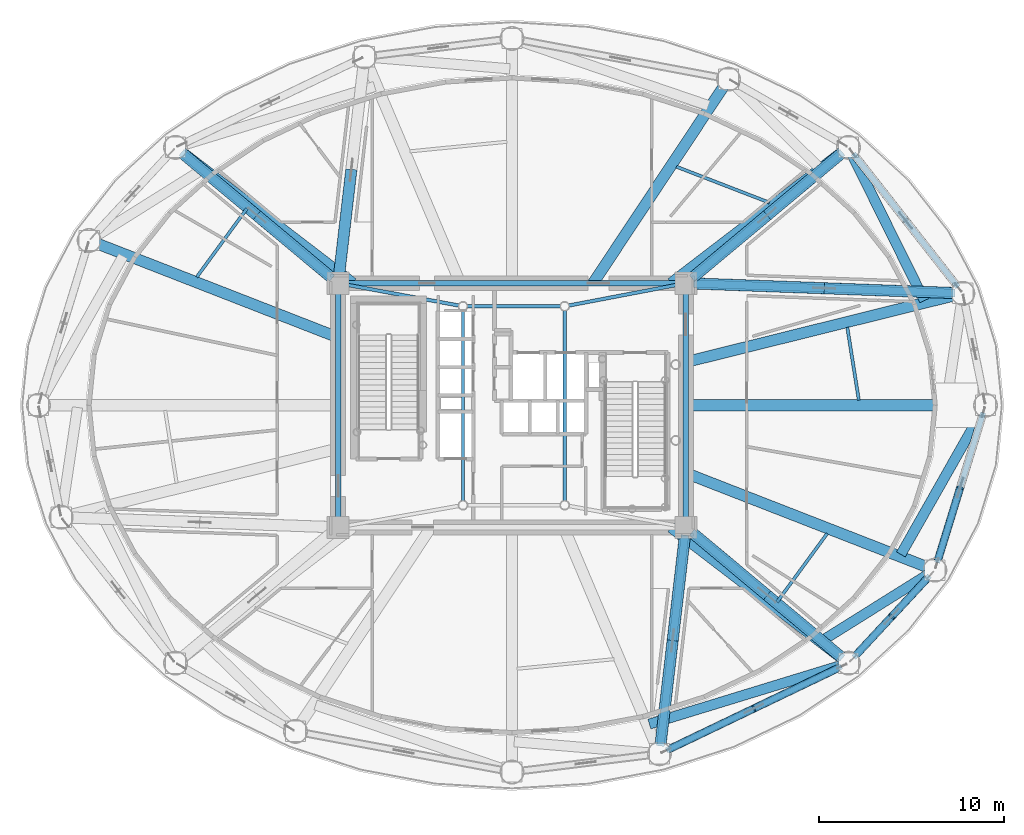
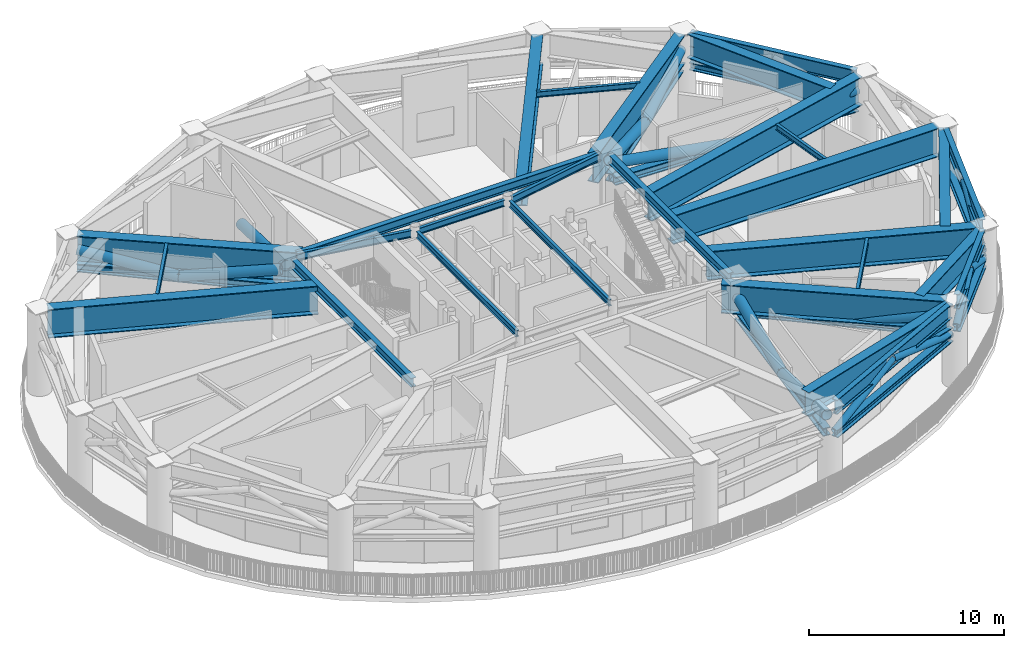
# One storey, part 4 of 20: 37 beams, 16 members.
"""IFC4 building model written with IfcOpenShell, lengths in metres."""

from ifc_helpers import new_model, si_unit, direction, frame, origin, origin_2d, place, context, subcontext, project, spatial, hollow_circle, i_section, extrude, material, material_profile, profile_set, type_object, element, save


model = new_model("IFC4")

# Units and contexts
model_context = context("Model", 3, precision=1e-05, world=origin(), true_north=direction((0.0, 1.0)))
body_context = subcontext(model_context, "Body", "Model", "MODEL_VIEW")
ifc_project = project(units=[si_unit("LENGTHUNIT", "METRE"), si_unit("AREAUNIT", "SQUARE_METRE"), si_unit("VOLUMEUNIT", "CUBIC_METRE"), si_unit("PLANEANGLEUNIT", "RADIAN"), si_unit("MASSUNIT", "GRAM", prefix="KILO")], contexts=[model_context])

# Site, building, storey
site_placement = place(None, origin())
site = spatial("IfcSite", under=ifc_project, at=site_placement, CompositionType="ELEMENT")
building_placement = place(site_placement, origin())
building = spatial("IfcBuilding", under=site, at=building_placement, Name="Linh Dai School and Residence Tower", CompositionType="ELEMENT")
storey_placement = place(building_placement, frame((0.0, 0.0, 204.89990234375)))
storey = spatial("IfcBuildingStorey", under=building, at=storey_placement, Name="L50", CompositionType="ELEMENT", Elevation=204.89990234375)

# Beams
ifc_material = material(Name="Structural Steel S355JR", Category="steel")
ifc_material_profile_1 = material_profile(ifc_material, i_section(OverallWidth=0.41796875, OverallDepth=0.506103515625, WebThickness=0.038818359375, FlangeThickness=0.05810546875, FilletRadius=0.014892578125, at=origin_2d()), Name="HD 400x551")
ifc_profile_set_1 = profile_set([ifc_material_profile_1], Name="Structural Steel S355JR")
beam_type_1 = type_object("IfcBeamType", Name="BM-BC1", PredefinedType="BEAM", material=ifc_profile_set_1)
beam_1_placement = place(storey_placement, frame((45.81982421875, 33.584716796875, 3.10009765625), z_axis=(0.999334691153, -0.036471565062, 0.0), x_axis=(0.036471565062, 0.999334691153, 0.0)))
element("IfcBeam", 1, at=beam_1_placement, inside=storey, type_object=beam_type_1, Name="L50 Outrigger Truss OT2 Bottom Chord 01", PredefinedType="BEAM", context=body_context, shape_type="SweptSolid", body=[
    extrude(i_section(OverallWidth=0.41796875, OverallDepth=0.506103515625, WebThickness=0.038818359375, FlangeThickness=0.05810546875, FilletRadius=0.014892578125, at=origin_2d()), origin(), (0.0, 0.0, 1.0), 14.14453125),
])
for number, where, z_axis, x_axis, name in (
    (2, (45.722412109375, 33.869140625, 3.10009765625), (0.767585567981, 0.640946484371, 0.0), (-0.640946484371, 0.767585567981, 0.0), "L50 Outrigger Truss OT2 Bottom Chord 02"),
    (3, (26.277587890625, 33.869140625, 3.10009765625), (-0.767585567981, 0.640946484371, 0.0), (-0.640946484371, -0.767585567981, 0.0), "L50 Outrigger Truss OT2 Bottom Chord 04"),
):
    element("IfcBeam", number, at=place(storey_placement, frame(where, z_axis=z_axis, x_axis=x_axis)), inside=storey, type_object=beam_type_1, Name=name, PredefinedType="BEAM", context=body_context, shape_type="SweptSolid", body=[
        extrude(i_section(OverallWidth=0.41796875, OverallDepth=0.506103515625, WebThickness=0.038818359375, FlangeThickness=0.05810546875, FilletRadius=0.014892578125, at=origin_2d()), origin(), (0.0, 0.0, 1.0), 10.61474609375),
    ])
beam_2_placement = place(storey_placement, frame((45.351318359375, 19.98291015625, 3.10009765625), z_axis=(-0.115752064502, -0.993278138068, 0.0), x_axis=(0.993278138068, -0.115752064502, 0.0)))
element("IfcBeam", 4, at=beam_2_placement, inside=storey, type_object=beam_type_1, Name="L50 Outrigger Truss OT2 Bottom Chord 07", PredefinedType="BEAM", context=body_context, shape_type="SweptSolid", body=[
    extrude(i_section(OverallWidth=0.41796875, OverallDepth=0.506103515625, WebThickness=0.038818359375, FlangeThickness=0.05810546875, FilletRadius=0.014892578125, at=origin_2d()), origin(), (0.0, 0.0, 1.0), 11.484375),
])
beam_3_placement = place(storey_placement, frame((45.722412109375, 20.130859375, 3.10009765625), z_axis=(0.767585567981, -0.640946484371, 0.0), x_axis=(0.640946484371, 0.767585567981, 0.0)))
element("IfcBeam", 5, at=beam_3_placement, inside=storey, type_object=beam_type_1, Name="L50 Outrigger Truss OT2 Bottom Chord 08", PredefinedType="BEAM", context=body_context, shape_type="SweptSolid", body=[
    extrude(i_section(OverallWidth=0.41796875, OverallDepth=0.506103515625, WebThickness=0.038818359375, FlangeThickness=0.05810546875, FilletRadius=0.014892578125, at=origin_2d()), origin(), (0.0, 0.0, 1.0), 10.61474609375),
])
ifc_material_profile_2 = material_profile(ifc_material, i_section(OverallWidth=0.408935546875, OverallDepth=0.47509765625, WebThickness=0.02978515625, FlangeThickness=0.048095703125, FilletRadius=0.014892578125, at=origin_2d()), Name="HD 400x421")
ifc_profile_set_2 = profile_set([ifc_material_profile_2], Name="Structural Steel S355JR")
beam_type_2 = type_object("IfcBeamType", Name="BM-BC2", PredefinedType="BEAM", material=ifc_profile_set_2)
beam_4_placement = place(storey_placement, frame((60.115478515625, 33.38427734375, 3.050048828125), z_axis=(-0.616852281883, 0.787078942887, 0.0), x_axis=(-0.787078942887, -0.616852281883, 0.0)))
element("IfcBeam", 6, at=beam_4_placement, inside=storey, type_object=beam_type_2, Name="L50 Ring Belt Truss BT3 Bottom Chord 02", PredefinedType="BEAM", context=body_context, shape_type="SweptSolid", body=[
    extrude(i_section(OverallWidth=0.408935546875, OverallDepth=0.47509765625, WebThickness=0.02978515625, FlangeThickness=0.048095703125, FilletRadius=0.014892578125, at=origin_2d()), origin(), (0.0, 0.0, 1.0), 9.181884765625),
])
beam_5_placement = place(storey_placement, frame((44.35205078125, 8.340087890625, 3.050048828125), z_axis=(0.901708141823, 0.432345263614, 0.0), x_axis=(-0.432345263614, 0.901708141823, 0.0)))
element("IfcBeam", 7, at=beam_5_placement, inside=storey, type_object=beam_type_2, Name="L50 Ring Belt Truss BT3 Bottom Chord 14", PredefinedType="BEAM", context=body_context, shape_type="SweptSolid", body=[
    extrude(i_section(OverallWidth=0.408935546875, OverallDepth=0.47509765625, WebThickness=0.02978515625, FlangeThickness=0.048095703125, FilletRadius=0.014892578125, at=origin_2d()), origin(), (0.0, 0.0, 1.0), 10.4931640625),
])
beam_6_placement = place(storey_placement, frame((54.478271484375, 13.3662109375, 3.050048828125), z_axis=(0.680378035197, 0.732861330145, 0.0), x_axis=(-0.732861330145, 0.680378035197, 0.0)))
element("IfcBeam", 8, at=beam_6_placement, inside=storey, type_object=beam_type_2, Name="L50 Ring Belt Truss BT3 Bottom Chord 15", PredefinedType="BEAM", context=body_context, shape_type="SweptSolid", body=[
    extrude(i_section(OverallWidth=0.408935546875, OverallDepth=0.47509765625, WebThickness=0.02978515625, FlangeThickness=0.048095703125, FilletRadius=0.014892578125, at=origin_2d()), origin(), (0.0, 0.0, 1.0), 6.024169921875),
])
beam_7_placement = place(storey_placement, frame((58.98583984375, 18.490234375, 3.050048828125), z_axis=(0.29363681283, 0.955917058196, 0.0), x_axis=(-0.955917058196, 0.29363681283, 0.0)))
element("IfcBeam", 9, at=beam_7_placement, inside=storey, type_object=beam_type_2, Name="L50 Ring Belt Truss BT3 Bottom Chord 16", PredefinedType="BEAM", context=body_context, shape_type="SweptSolid", body=[
    extrude(i_section(OverallWidth=0.408935546875, OverallDepth=0.47509765625, WebThickness=0.02978515625, FlangeThickness=0.048095703125, FilletRadius=0.014892578125, at=origin_2d()), origin(), (0.0, 0.0, 1.0), 8.482421875),
])
ifc_material_profile_3 = material_profile(ifc_material, i_section(OverallWidth=0.300048828125, OverallDepth=0.550048828125, WebThickness=0.014892578125, FlangeThickness=0.029052734375, FilletRadius=0.027099609375, at=origin_2d()), Name="HEB 550")
ifc_profile_set_3 = profile_set([ifc_material_profile_3], Name="Structural Steel S355JR")
beam_type_3 = type_object("IfcBeamType", Name="BM-RG55", PredefinedType="BEAM", material=ifc_profile_set_3)
beam_8_placement = place(storey_placement, frame((45.39990234375, 20.820068359375, 4.875), z_axis=(0.0, 1.0, 0.0), x_axis=(-1.0, 0.0, 0.0)))
element("IfcBeam", 10, at=beam_8_placement, inside=storey, type_object=beam_type_3, Name="L50 Core Perimeter Coupling Girder 2", PredefinedType="BEAM", context=body_context, shape_type="SweptSolid", body=[
    extrude(i_section(OverallWidth=0.300048828125, OverallDepth=0.550048828125, WebThickness=0.014892578125, FlangeThickness=0.029052734375, FilletRadius=0.027099609375, at=origin_2d()), origin(), (0.0, 0.0, 1.0), 12.35986328125),
])
beam_9_placement = place(storey_placement, frame((44.97998046875, 33.60009765625, 4.875), z_axis=(-1.0, 0.0, 0.0), x_axis=(0.0, -1.0, 0.0)))
element("IfcBeam", 11, at=beam_9_placement, inside=storey, type_object=beam_type_3, Name="L50 Core Perimeter Coupling Girder 3", PredefinedType="BEAM", context=body_context, shape_type="SweptSolid", body=[
    extrude(i_section(OverallWidth=0.300048828125, OverallDepth=0.550048828125, WebThickness=0.014892578125, FlangeThickness=0.029052734375, FilletRadius=0.027099609375, at=origin_2d()), origin(), (0.0, 0.0, 1.0), 17.9599609375),
])
beam_10_placement = place(storey_placement, frame((26.60009765625, 33.179931640625, 4.875), z_axis=(0.0, -1.0, 0.0), x_axis=(1.0, 0.0, 0.0)))
element("IfcBeam", 12, at=beam_10_placement, inside=storey, type_object=beam_type_3, Name="L50 Core Perimeter Coupling Girder 4", PredefinedType="BEAM", context=body_context, shape_type="SweptSolid", body=[
    extrude(i_section(OverallWidth=0.300048828125, OverallDepth=0.550048828125, WebThickness=0.014892578125, FlangeThickness=0.029052734375, FilletRadius=0.027099609375, at=origin_2d()), origin(), (0.0, 0.0, 1.0), 12.35986328125),
])
ifc_material_profile_4 = material_profile(ifc_material, i_section(OverallWidth=0.300048828125, OverallDepth=0.89990234375, WebThickness=0.0185546875, FlangeThickness=0.034912109375, FilletRadius=0.030029296875, at=origin_2d()), Name="HEB 900")
ifc_profile_set_4 = profile_set([ifc_material_profile_4], Name="Structural Steel S355JR")
beam_type_4 = type_object("IfcBeamType", Name="BM-RG9", PredefinedType="BEAM", material=ifc_profile_set_4)
beam_11_placement = place(storey_placement, frame((60.115478515625, 33.38427734375, 4.7001953125), z_axis=(-0.616852281883, 0.787078942887, 0.0), x_axis=(-0.787078942887, -0.616852281883, 0.0)))
element("IfcBeam", 13, at=beam_11_placement, inside=storey, type_object=beam_type_4, Name="L50 Perimeter Elliptical Ring Beam 02", PredefinedType="BEAM", context=body_context, shape_type="SweptSolid", body=[
    extrude(i_section(OverallWidth=0.300048828125, OverallDepth=0.89990234375, WebThickness=0.0185546875, FlangeThickness=0.034912109375, FilletRadius=0.030029296875, at=origin_2d()), origin(), (0.0, 0.0, 1.0), 9.181884765625),
])
beam_12_placement = place(storey_placement, frame((44.35205078125, 8.340087890625, 4.7001953125), z_axis=(0.901708141823, 0.432345263614, 0.0), x_axis=(-0.432345263614, 0.901708141823, 0.0)))
element("IfcBeam", 14, at=beam_12_placement, inside=storey, type_object=beam_type_4, Name="L50 Perimeter Elliptical Ring Beam 14", PredefinedType="BEAM", context=body_context, shape_type="SweptSolid", body=[
    extrude(i_section(OverallWidth=0.300048828125, OverallDepth=0.89990234375, WebThickness=0.0185546875, FlangeThickness=0.034912109375, FilletRadius=0.030029296875, at=origin_2d()), origin(), (0.0, 0.0, 1.0), 10.4931640625),
])
beam_13_placement = place(storey_placement, frame((54.478271484375, 13.3662109375, 4.7001953125), z_axis=(0.680378035197, 0.732861330145, 0.0), x_axis=(-0.732861330145, 0.680378035197, 0.0)))
element("IfcBeam", 15, at=beam_13_placement, inside=storey, type_object=beam_type_4, Name="L50 Perimeter Elliptical Ring Beam 15", PredefinedType="BEAM", context=body_context, shape_type="SweptSolid", body=[
    extrude(i_section(OverallWidth=0.300048828125, OverallDepth=0.89990234375, WebThickness=0.0185546875, FlangeThickness=0.034912109375, FilletRadius=0.030029296875, at=origin_2d()), origin(), (0.0, 0.0, 1.0), 6.024169921875),
])
beam_14_placement = place(storey_placement, frame((58.98583984375, 18.490234375, 4.7001953125), z_axis=(0.29363681283, 0.955917058196, 0.0), x_axis=(-0.955917058196, 0.29363681283, 0.0)))
element("IfcBeam", 16, at=beam_14_placement, inside=storey, type_object=beam_type_4, Name="L50 Perimeter Elliptical Ring Beam 16", PredefinedType="BEAM", context=body_context, shape_type="SweptSolid", body=[
    extrude(i_section(OverallWidth=0.300048828125, OverallDepth=0.89990234375, WebThickness=0.0185546875, FlangeThickness=0.034912109375, FilletRadius=0.030029296875, at=origin_2d()), origin(), (0.0, 0.0, 1.0), 8.482421875),
])
ifc_material_profile_5 = material_profile(ifc_material, i_section(OverallWidth=0.169921875, OverallDepth=0.360107421875, WebThickness=0.008056640625, FlangeThickness=0.0126953125, FilletRadius=0.01806640625, at=origin_2d()), Name="IPE 360")
ifc_profile_set_5 = profile_set([ifc_material_profile_5], Name="Structural Steel S355JR")
beam_type_5 = type_object("IfcBeamType", Name="BM-SB36", PredefinedType="BEAM", material=ifc_profile_set_5)
beam_15_placement = place(storey_placement, frame((54.752197265625, 27.276611328125, 4.97021484375), z_axis=(-0.15631155546, 0.987707799721, 0.0), x_axis=(-0.987707799721, -0.15631155546, 0.0)))
element("IfcBeam", 17, at=beam_15_placement, inside=storey, type_object=beam_type_5, Name="L50 Secondary Circumferential Floor Beam 01", PredefinedType="BEAM", context=body_context, shape_type="SweptSolid", body=[
    extrude(i_section(OverallWidth=0.169921875, OverallDepth=0.360107421875, WebThickness=0.008056640625, FlangeThickness=0.0126953125, FilletRadius=0.01806640625, at=origin_2d()), origin(), (0.0, 0.0, 1.0), 3.987548828125),
])
beam_16_placement = place(storey_placement, frame((49.90771484375, 37.958984375, 4.97021484375), z_axis=(-0.93281928987, 0.3603445191, 0.0), x_axis=(-0.3603445191, -0.93281928987, 0.0)))
element("IfcBeam", 18, at=beam_16_placement, inside=storey, type_object=beam_type_5, Name="L50 Secondary Circumferential Floor Beam 02", PredefinedType="BEAM", context=body_context, shape_type="SweptSolid", body=[
    extrude(i_section(OverallWidth=0.169921875, OverallDepth=0.360107421875, WebThickness=0.008056640625, FlangeThickness=0.0126953125, FilletRadius=0.01806640625, at=origin_2d()), origin(), (0.0, 0.0, 1.0), 5.378173828125),
])
for number, where, z_axis, x_axis, name in (
    (19, (21.665771484375, 37.63232421875, 4.97021484375), (-0.59081870734, -0.806804347446, 0.0), (0.806804347446, -0.59081870734, 0.0), "L50 Secondary Circumferential Floor Beam 04"),
    (20, (50.334228515625, 16.36767578125, 4.97021484375), (0.59081870734, 0.806804347446, 0.0), (-0.806804347446, 0.59081870734, 0.0), "L50 Secondary Circumferential Floor Beam 08"),
):
    element("IfcBeam", number, at=place(storey_placement, frame(where, z_axis=z_axis, x_axis=x_axis)), inside=storey, type_object=beam_type_5, Name=name, PredefinedType="BEAM", context=body_context, shape_type="SweptSolid", body=[
        extrude(i_section(OverallWidth=0.169921875, OverallDepth=0.360107421875, WebThickness=0.008056640625, FlangeThickness=0.0126953125, FilletRadius=0.01806640625, at=origin_2d()), origin(), (0.0, 0.0, 1.0), 4.584716796875),
    ])
ifc_material_profile_6 = material_profile(ifc_material, i_section(OverallWidth=0.179931640625, OverallDepth=0.39990234375, WebThickness=0.008544921875, FlangeThickness=0.013427734375, FilletRadius=0.02099609375, at=origin_2d()), Name="IPE 400")
ifc_profile_set_6 = profile_set([ifc_material_profile_6], Name="Structural Steel S355JR")
beam_type_6 = type_object("IfcBeamType", Name="BM-SB40", PredefinedType="BEAM", material=ifc_profile_set_6)
beam_17_placement = place(storey_placement, frame((38.85009765625, 21.823974609375, 4.9501953125), z_axis=(0.0, 1.0, 0.0), x_axis=(-1.0, 0.0, 0.0)))
element("IfcBeam", 21, at=beam_17_placement, inside=storey, type_object=beam_type_6, Name="L50 Core Mast Pier Tie Beam 2", PredefinedType="BEAM", context=body_context, shape_type="SweptSolid", body=[
    extrude(i_section(OverallWidth=0.179931640625, OverallDepth=0.39990234375, WebThickness=0.008544921875, FlangeThickness=0.013427734375, FilletRadius=0.02099609375, at=origin_2d()), origin(), (0.0, 0.0, 1.0), 10.302001953125),
])
beam_18_placement = place(storey_placement, frame((38.6259765625, 32.35009765625, 4.9501953125), z_axis=(-1.0, 0.0, 0.0), x_axis=(0.0, -1.0, 0.0)))
element("IfcBeam", 22, at=beam_18_placement, inside=storey, type_object=beam_type_6, Name="L50 Core Mast Pier Tie Beam 3", PredefinedType="BEAM", context=body_context, shape_type="SweptSolid", body=[
    extrude(i_section(OverallWidth=0.179931640625, OverallDepth=0.39990234375, WebThickness=0.008544921875, FlangeThickness=0.013427734375, FilletRadius=0.02099609375, at=origin_2d()), origin(), (0.0, 0.0, 1.0), 5.052001953125),
])
beam_19_placement = place(storey_placement, frame((33.35009765625, 32.1259765625, 4.9501953125), z_axis=(0.0, -1.0, 0.0), x_axis=(1.0, 0.0, 0.0)))
element("IfcBeam", 23, at=beam_19_placement, inside=storey, type_object=beam_type_6, Name="L50 Core Mast Pier Tie Beam 4", PredefinedType="BEAM", context=body_context, shape_type="SweptSolid", body=[
    extrude(i_section(OverallWidth=0.179931640625, OverallDepth=0.39990234375, WebThickness=0.008544921875, FlangeThickness=0.013427734375, FilletRadius=0.02099609375, at=origin_2d()), origin(), (0.0, 0.0, 1.0), 10.302001953125),
])
ifc_material_profile_7 = material_profile(ifc_material, i_section(OverallWidth=0.18994140625, OverallDepth=0.449951171875, WebThickness=0.009521484375, FlangeThickness=0.0146484375, FilletRadius=0.02099609375, at=origin_2d()), Name="IPE 450")
ifc_profile_set_7 = profile_set([ifc_material_profile_7], Name="Structural Steel S355JR")
beam_type_7 = type_object("IfcBeamType", Name="BM-SB45", PredefinedType="BEAM", material=ifc_profile_set_7)
beam_20_placement = place(storey_placement, frame((44.987548828125, 33.521240234375, 4.925048828125), z_axis=(-0.982277147686, -0.187434268836, 0.0), x_axis=(0.187434268836, -0.982277147686, 0.0)))
element("IfcBeam", 24, at=beam_20_placement, inside=storey, type_object=beam_type_7, Name="L50 Core Corner-to-Mast Pier Beam 3", PredefinedType="BEAM", context=body_context, shape_type="SweptSolid", body=[
    extrude(i_section(OverallWidth=0.18994140625, OverallDepth=0.449951171875, WebThickness=0.009521484375, FlangeThickness=0.0146484375, FilletRadius=0.02099609375, at=origin_2d()), origin(), (0.0, 0.0, 1.0), 6.024169921875),
])
beam_21_placement = place(storey_placement, frame((27.012939453125, 33.5234375, 4.925048828125), z_axis=(0.983286429055, -0.182065368579, 0.0), x_axis=(0.182065368579, 0.983286429055, 0.0)))
element("IfcBeam", 25, at=beam_21_placement, inside=storey, type_object=beam_type_7, Name="L50 Core Corner-to-Mast Pier Beam 4", PredefinedType="BEAM", context=body_context, shape_type="SweptSolid", body=[
    extrude(i_section(OverallWidth=0.18994140625, OverallDepth=0.449951171875, WebThickness=0.009521484375, FlangeThickness=0.0146484375, FilletRadius=0.02099609375, at=origin_2d()), origin(), (0.0, 0.0, 1.0), 6.220703125),
])
ifc_material_profile_8 = material_profile(ifc_material, i_section(OverallWidth=0.550048828125, OverallDepth=1.5, WebThickness=0.028076171875, FlangeThickness=0.050048828125, at=origin_2d()), Name="PG 1500x550x28x50")
ifc_profile_set_8 = profile_set([ifc_material_profile_8], Name="Structural Steel S355JR")
beam_type_8 = type_object("IfcBeamType", Name="BM-TG15", PredefinedType="BEAM", material=ifc_profile_set_8)
beam_22_placement = place(storey_placement, frame((58.298095703125, 32.65673828125, 4.400146484375), z_axis=(-0.444024337353, 0.896014725235, 0.0), x_axis=(-0.896014725235, -0.444024337353, 0.0)))
element("IfcBeam", 26, at=beam_22_placement, inside=storey, type_object=beam_type_8, Name="L50 Setback Diaphragm Transfer Girder 02", PredefinedType="BEAM", context=body_context, shape_type="SweptSolid", body=[
    extrude(i_section(OverallWidth=0.550048828125, OverallDepth=1.5, WebThickness=0.028076171875, FlangeThickness=0.050048828125, at=origin_2d()), origin(), (0.0, 0.0, 1.0), 8.826416015625),
])
beam_23_placement = place(storey_placement, frame((43.4267578125, 9.76171875, 4.400146484375), z_axis=(0.956177952273, 0.292786139678, 0.0), x_axis=(-0.292786139678, 0.956177952273, 0.0)))
element("IfcBeam", 27, at=beam_23_placement, inside=storey, type_object=beam_type_8, Name="L50 Setback Diaphragm Transfer Girder 14", PredefinedType="BEAM", context=body_context, shape_type="SweptSolid", body=[
    extrude(i_section(OverallWidth=0.550048828125, OverallDepth=1.5, WebThickness=0.028076171875, FlangeThickness=0.050048828125, at=origin_2d()), origin(), (0.0, 0.0, 1.0), 10.83935546875),
])
beam_24_placement = place(storey_placement, frame((52.784912109375, 14.28271484375, 4.400146484375), z_axis=(0.847518491139, 0.530765868512, 0.0), x_axis=(-0.530765868512, 0.847518491139, 0.0)))
element("IfcBeam", 28, at=beam_24_placement, inside=storey, type_object=beam_type_8, Name="L50 Setback Diaphragm Transfer Girder 15", PredefinedType="BEAM", context=body_context, shape_type="SweptSolid", body=[
    extrude(i_section(OverallWidth=0.550048828125, OverallDepth=1.5, WebThickness=0.028076171875, FlangeThickness=0.050048828125, at=origin_2d()), origin(), (0.0, 0.0, 1.0), 6.7509765625),
])
beam_25_placement = place(storey_placement, frame((57.0244140625, 18.935302734375, 4.400146484375), z_axis=(0.493472463671, 0.86976141993, 0.0), x_axis=(-0.86976141993, 0.493472463671, 0.0)))
element("IfcBeam", 29, at=beam_25_placement, inside=storey, type_object=beam_type_8, Name="L50 Setback Diaphragm Transfer Girder 16", PredefinedType="BEAM", context=body_context, shape_type="SweptSolid", body=[
    extrude(i_section(OverallWidth=0.550048828125, OverallDepth=1.5, WebThickness=0.028076171875, FlangeThickness=0.050048828125, at=origin_2d()), origin(), (0.0, 0.0, 1.0), 8.852294921875),
])
ifc_material_profile_9 = material_profile(ifc_material, i_section(OverallWidth=0.60009765625, OverallDepth=1.800048828125, WebThickness=0.030029296875, FlangeThickness=0.054931640625, at=origin_2d()), Name="PG 1800x600x30x55")
ifc_profile_set_9 = profile_set([ifc_material_profile_9], Name="Structural Steel S355JR")
beam_type_9 = type_object("IfcBeamType", Name="BM-TG18", PredefinedType="BEAM", material=ifc_profile_set_9)
beam_26_placement = place(storey_placement, frame((45.39990234375, 27.0, 4.25), z_axis=(1.0, 0.0, 0.0), x_axis=(0.0, 1.0, 0.0)))
element("IfcBeam", 30, at=beam_26_placement, inside=storey, type_object=beam_type_9, Name="L50 Radial Setback Transfer Girder 01", PredefinedType="BEAM", context=body_context, shape_type="SweptSolid", body=[
    extrude(i_section(OverallWidth=0.60009765625, OverallDepth=1.800048828125, WebThickness=0.030029296875, FlangeThickness=0.054931640625, at=origin_2d()), origin(), (0.0, 0.0, 1.0), 15.780029296875),
])
beam_27_placement = place(storey_placement, frame((45.39990234375, 29.33447265625, 4.25), z_axis=(0.970514508209, 0.24104271272, 0.0), x_axis=(-0.24104271272, 0.970514508209, 0.0)))
element("IfcBeam", 31, at=beam_27_placement, inside=storey, type_object=beam_type_9, Name="L50 Radial Setback Transfer Girder 02", PredefinedType="BEAM", context=body_context, shape_type="SweptSolid", body=[
    extrude(i_section(OverallWidth=0.60009765625, OverallDepth=1.800048828125, WebThickness=0.030029296875, FlangeThickness=0.054931640625, at=origin_2d()), origin(), (0.0, 0.0, 1.0), 15.009521484375),
])
beam_28_placement = place(storey_placement, frame((44.6123046875, 33.60009765625, 4.25), z_axis=(0.793732831925, 0.608266546445, 0.0), x_axis=(-0.608266546445, 0.793732831925, 0.0)))
element("IfcBeam", 32, at=beam_28_placement, inside=storey, type_object=beam_type_9, Name="L50 Radial Setback Transfer Girder 03", PredefinedType="BEAM", context=body_context, shape_type="SweptSolid", body=[
    extrude(i_section(OverallWidth=0.60009765625, OverallDepth=1.800048828125, WebThickness=0.030029296875, FlangeThickness=0.054931640625, at=origin_2d()), origin(), (0.0, 0.0, 1.0), 11.64990234375),
])
beam_29_placement = place(storey_placement, frame((40.3818359375, 33.60009765625, 4.25), z_axis=(0.553117176317, 0.833103468522, 0.0), x_axis=(-0.833103468522, 0.553117176317, 0.0)))
element("IfcBeam", 33, at=beam_29_placement, inside=storey, type_object=beam_type_9, Name="L50 Radial Setback Transfer Girder 04", PredefinedType="BEAM", context=body_context, shape_type="SweptSolid", body=[
    extrude(i_section(OverallWidth=0.60009765625, OverallDepth=1.800048828125, WebThickness=0.030029296875, FlangeThickness=0.054931640625, at=origin_2d()), origin(), (0.0, 0.0, 1.0), 12.820556640625),
])
beam_30_placement = place(storey_placement, frame((27.3876953125, 33.60009765625, 4.25), z_axis=(-0.793732831925, 0.608266546445, 0.0), x_axis=(-0.608266546445, -0.793732831925, 0.0)))
element("IfcBeam", 34, at=beam_30_placement, inside=storey, type_object=beam_type_9, Name="L50 Radial Setback Transfer Girder 07", PredefinedType="BEAM", context=body_context, shape_type="SweptSolid", body=[
    extrude(i_section(OverallWidth=0.60009765625, OverallDepth=1.800048828125, WebThickness=0.030029296875, FlangeThickness=0.054931640625, at=origin_2d()), origin(), (0.0, 0.0, 1.0), 11.64990234375),
])
beam_31_placement = place(storey_placement, frame((26.60009765625, 30.663818359375, 4.25), z_axis=(-0.931722873254, 0.363170053081, 0.0), x_axis=(-0.363170053081, -0.931722873254, 0.0)))
element("IfcBeam", 35, at=beam_31_placement, inside=storey, type_object=beam_type_9, Name="L50 Radial Setback Transfer Girder 08", PredefinedType="BEAM", context=body_context, shape_type="SweptSolid", body=[
    extrude(i_section(OverallWidth=0.60009765625, OverallDepth=1.800048828125, WebThickness=0.030029296875, FlangeThickness=0.054931640625, at=origin_2d()), origin(), (0.0, 0.0, 1.0), 14.029052734375),
])
beam_32_placement = place(storey_placement, frame((44.6123046875, 20.39990234375, 4.25), z_axis=(0.793732831925, -0.608266546445, 0.0), x_axis=(0.608266546445, 0.793732831925, 0.0)))
element("IfcBeam", 36, at=beam_32_placement, inside=storey, type_object=beam_type_9, Name="L50 Radial Setback Transfer Girder 15", PredefinedType="BEAM", context=body_context, shape_type="SweptSolid", body=[
    extrude(i_section(OverallWidth=0.60009765625, OverallDepth=1.800048828125, WebThickness=0.030029296875, FlangeThickness=0.054931640625, at=origin_2d()), origin(), (0.0, 0.0, 1.0), 11.64990234375),
])
beam_33_placement = place(storey_placement, frame((45.39990234375, 23.336181640625, 4.25), z_axis=(0.931722873254, -0.363170053081, 0.0), x_axis=(0.363170053081, 0.931722873254, 0.0)))
element("IfcBeam", 37, at=beam_33_placement, inside=storey, type_object=beam_type_9, Name="L50 Radial Setback Transfer Girder 16", PredefinedType="BEAM", context=body_context, shape_type="SweptSolid", body=[
    extrude(i_section(OverallWidth=0.60009765625, OverallDepth=1.800048828125, WebThickness=0.030029296875, FlangeThickness=0.054931640625, at=origin_2d()), origin(), (0.0, 0.0, 1.0), 14.029052734375),
])

# Members
ifc_material_profile_10 = material_profile(ifc_material, hollow_circle(Radius=0.203125, WallThickness=0.01611328125, at=origin_2d()), Name="CHS 406.4x16")
ifc_profile_set_10 = profile_set([ifc_material_profile_10], Name="Structural Steel S355JR")
member_type_1 = type_object("IfcMemberType", Name="MBR-BT3", PredefinedType="BRACE", material=ifc_profile_set_10)
for number, where, z_axis, x_axis, name in (
    (38, (44.3369140625, 8.3330078125, 3.16748046875), (0.865763864408, 0.41506786092, 0.279591848804), (-0.432308789379, 0.901725629349, 0.0), "L50 Ring Belt Truss BT3 Diagonal 14A"),
    (39, (53.828857421875, 12.884033203125, 3.16748046875), (-0.865736704604, -0.41512072759, 0.279597460338), (0.432364587891, -0.901698876088, 0.0), "L50 Ring Belt Truss BT3 Diagonal 14B"),
):
    element("IfcMember", number, at=place(storey_placement, frame(where, z_axis=z_axis, x_axis=x_axis)), inside=storey, type_object=member_type_1, Name=name, PredefinedType="BRACE", context=body_context, shape_type="SweptSolid", body=[
        extrude(hollow_circle(Radius=0.203125, WallThickness=0.01611328125, at=origin_2d()), origin(), (0.0, 0.0, 1.0), 5.48193359375),
    ])
member_1_placement = place(storey_placement, frame((54.449951171875, 13.335693359375, 3.232177734375), z_axis=(0.613211987, 0.660481912202, 0.433283628417), x_axis=(-0.732844746776, 0.680395897345, 0.0)))
element("IfcMember", 40, at=member_1_placement, inside=storey, type_object=member_type_1, Name="L50 Ring Belt Truss BT3 Diagonal 15A", PredefinedType="BRACE", context=body_context, shape_type="SweptSolid", body=[
    extrude(hollow_circle(Radius=0.203125, WallThickness=0.01611328125, at=origin_2d()), origin(), (0.0, 0.0, 1.0), 3.38818359375),
])
member_2_placement = place(storey_placement, frame((58.60498046875, 17.811279296875, 3.232177734375), z_axis=(-0.61316702203, -0.660511096947, 0.433302773941), x_axis=(0.732884613974, -0.680352954429, 0.0)))
element("IfcMember", 41, at=member_2_placement, inside=storey, type_object=member_type_1, Name="L50 Ring Belt Truss BT3 Diagonal 15B", PredefinedType="BRACE", context=body_context, shape_type="SweptSolid", body=[
    extrude(hollow_circle(Radius=0.203125, WallThickness=0.01611328125, at=origin_2d()), origin(), (0.0, 0.0, 1.0), 3.387939453125),
])
member_3_placement = place(storey_placement, frame((58.978759765625, 18.46728515625, 3.190185546875), z_axis=(0.276807957672, 0.901109725754, 0.333734350526), x_axis=(-0.955915045693, 0.293643364336, 0.0)))
element("IfcMember", 42, at=member_3_placement, inside=storey, type_object=member_type_1, Name="L50 Ring Belt Truss BT3 Diagonal 16A", PredefinedType="BRACE", context=body_context, shape_type="SweptSolid", body=[
    extrude(hollow_circle(Radius=0.203125, WallThickness=0.01611328125, at=origin_2d()), origin(), (0.0, 0.0, 1.0), 4.524658203125),
])
ifc_material_profile_11 = material_profile(ifc_material, hollow_circle(Radius=0.304931640625, WallThickness=0.02490234375, at=origin_2d()), Name="CHS 610x25")
ifc_profile_set_11 = profile_set([ifc_material_profile_11], Name="Structural Steel S355JR")
member_type_2 = type_object("IfcMemberType", Name="MBR-OT2", PredefinedType="BRACE", material=ifc_profile_set_11)
for number, where, z_axis, x_axis, name in (
    (43, (45.81494140625, 33.5849609375, 4.186279296875), (0.987768514265, -0.036042230032, -0.151704712785), (0.03646427264, 0.99933495727, 0.0), "L50 Outrigger Truss OT2 Web Diagonal 01A"),
    (44, (59.95947265625, 33.068603515625, 4.186279296875), (-0.987767299735, 0.036076284283, -0.151704526254), (-0.036498724598, -0.999333699573, 0.0), "L50 Outrigger Truss OT2 Web Diagonal 01B"),
):
    element("IfcMember", number, at=place(storey_placement, frame(where, z_axis=z_axis, x_axis=x_axis)), inside=storey, type_object=member_type_2, Name=name, PredefinedType="BRACE", context=body_context, shape_type="SweptSolid", body=[
        extrude(hollow_circle(Radius=0.304931640625, WallThickness=0.02490234375, at=origin_2d()), origin(), (0.0, 0.0, 1.0), 7.159912109375),
    ])
member_4_placement = place(storey_placement, frame((45.716064453125, 33.864013671875, 4.16748046875), z_axis=(0.75257946391, 0.628380435579, -0.196881128304), x_axis=(-0.640925026106, 0.767603485473, 0.0)))
element("IfcMember", 45, at=member_4_placement, inside=storey, type_object=member_type_2, Name="L50 Outrigger Truss OT2 Web Diagonal 02A", PredefinedType="BRACE", context=body_context, shape_type="SweptSolid", body=[
    extrude(hollow_circle(Radius=0.304931640625, WallThickness=0.02490234375, at=origin_2d()), origin(), (0.0, 0.0, 1.0), 5.42138671875),
])
member_5_placement = place(storey_placement, frame((53.87646484375, 40.677734375, 4.16748046875), z_axis=(-0.752577694988, -0.62838638985, -0.196868885448), x_axis=(0.64092949211, -0.767599756477, 0.0)))
element("IfcMember", 46, at=member_5_placement, inside=storey, type_object=member_type_2, Name="L50 Outrigger Truss OT2 Web Diagonal 02B", PredefinedType="BRACE", context=body_context, shape_type="SweptSolid", body=[
    extrude(hollow_circle(Radius=0.304931640625, WallThickness=0.02490234375, at=origin_2d()), origin(), (0.0, 0.0, 1.0), 5.421875),
])
member_6_placement = place(storey_placement, frame((26.647705078125, 34.010009765625, 4.173095703125), z_axis=(0.113833546441, 0.976413819144, -0.183461106201), x_axis=(-0.993272666536, 0.115799006526, 0.0)))
element("IfcMember", 47, at=member_6_placement, inside=storey, type_object=member_type_2, Name="L50 Outrigger Truss OT2 Web Diagonal 03A", PredefinedType="BRACE", context=body_context, shape_type="SweptSolid", body=[
    extrude(hollow_circle(Radius=0.304931640625, WallThickness=0.02490234375, at=origin_2d()), origin(), (0.0, 0.0, 1.0), 5.8486328125),
])
member_7_placement = place(storey_placement, frame((26.283935546875, 33.864013671875, 4.16748046875), z_axis=(-0.75257946391, 0.628380435579, -0.196881128304), x_axis=(-0.640925026106, -0.767603485473, 0.0)))
element("IfcMember", 48, at=member_7_placement, inside=storey, type_object=member_type_2, Name="L50 Outrigger Truss OT2 Web Diagonal 04A", PredefinedType="BRACE", context=body_context, shape_type="SweptSolid", body=[
    extrude(hollow_circle(Radius=0.304931640625, WallThickness=0.02490234375, at=origin_2d()), origin(), (0.0, 0.0, 1.0), 5.42138671875),
])
member_8_placement = place(storey_placement, frame((18.12353515625, 40.677734375, 4.16748046875), z_axis=(0.752577694988, -0.62838638985, -0.196868885448), x_axis=(0.64092949211, 0.767599756477, 0.0)))
element("IfcMember", 49, at=member_8_placement, inside=storey, type_object=member_type_2, Name="L50 Outrigger Truss OT2 Web Diagonal 04B", PredefinedType="BRACE", context=body_context, shape_type="SweptSolid", body=[
    extrude(hollow_circle(Radius=0.304931640625, WallThickness=0.02490234375, at=origin_2d()), origin(), (0.0, 0.0, 1.0), 5.421875),
])
for number, where, z_axis, x_axis, name in (
    (50, (45.352294921875, 19.989990234375, 4.173095703125), (-0.113833546441, -0.976413819144, -0.183461106201), (0.993272666536, -0.115799006526, 0.0), "L50 Outrigger Truss OT2 Web Diagonal 07A"),
    (51, (44.02099609375, 8.568603515625, 4.173095703125), (0.113792343917, 0.976418458021, -0.183461977812), (-0.993277549872, 0.11575711175, 0.0), "L50 Outrigger Truss OT2 Web Diagonal 07B"),
):
    element("IfcMember", number, at=place(storey_placement, frame(where, z_axis=z_axis, x_axis=x_axis)), inside=storey, type_object=member_type_2, Name=name, PredefinedType="BRACE", context=body_context, shape_type="SweptSolid", body=[
        extrude(hollow_circle(Radius=0.304931640625, WallThickness=0.02490234375, at=origin_2d()), origin(), (0.0, 0.0, 1.0), 5.8486328125),
    ])
member_9_placement = place(storey_placement, frame((45.716064453125, 20.135986328125, 4.16748046875), z_axis=(0.75257946391, -0.628380435579, -0.196881128304), x_axis=(0.640925026106, 0.767603485473, 0.0)))
element("IfcMember", 52, at=member_9_placement, inside=storey, type_object=member_type_2, Name="L50 Outrigger Truss OT2 Web Diagonal 08A", PredefinedType="BRACE", context=body_context, shape_type="SweptSolid", body=[
    extrude(hollow_circle(Radius=0.304931640625, WallThickness=0.02490234375, at=origin_2d()), origin(), (0.0, 0.0, 1.0), 5.42138671875),
])
member_10_placement = place(storey_placement, frame((53.87646484375, 13.322265625, 4.16748046875), z_axis=(-0.752577694988, 0.62838638985, -0.196868885448), x_axis=(-0.64092949211, -0.767599756477, 0.0)))
element("IfcMember", 53, at=member_10_placement, inside=storey, type_object=member_type_2, Name="L50 Outrigger Truss OT2 Web Diagonal 08B", PredefinedType="BRACE", context=body_context, shape_type="SweptSolid", body=[
    extrude(hollow_circle(Radius=0.304931640625, WallThickness=0.02490234375, at=origin_2d()), origin(), (0.0, 0.0, 1.0), 5.421875),
])

save(model, "model.ifc")
